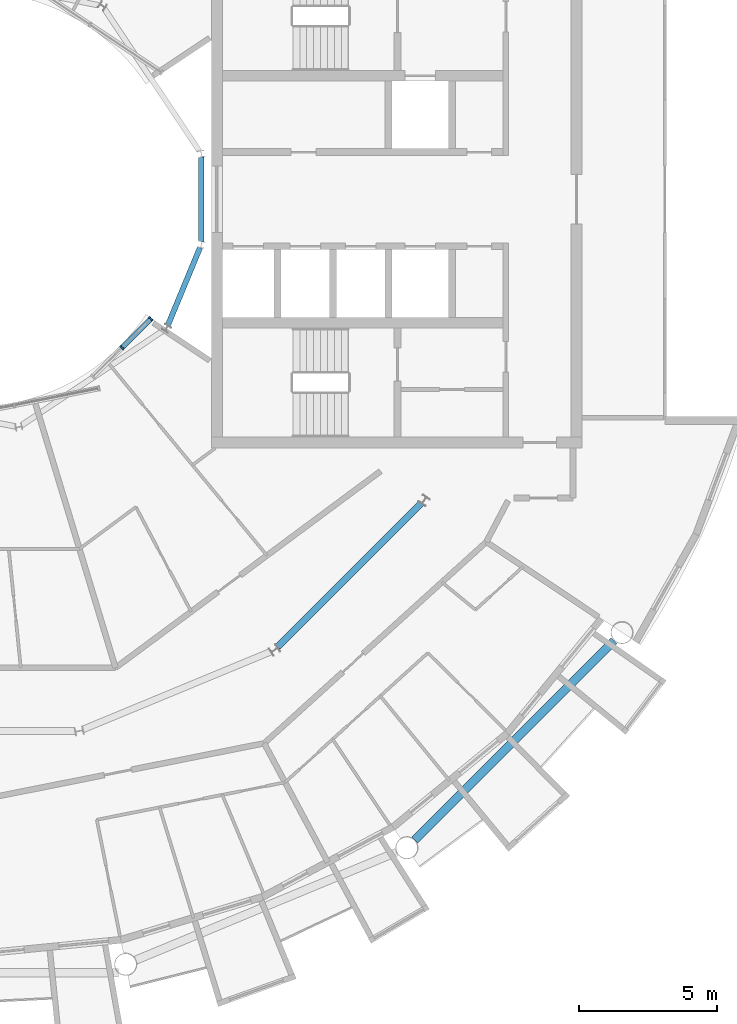
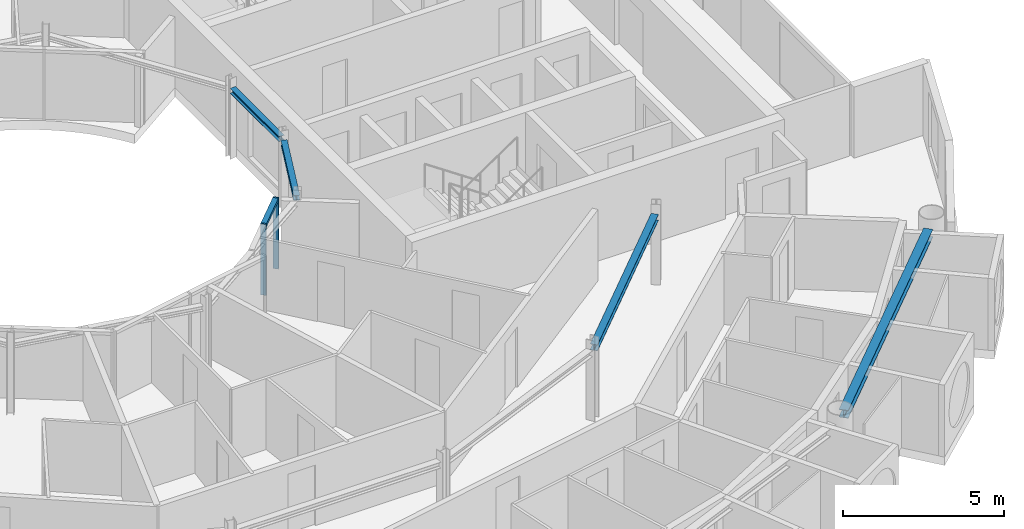
# One storey, part 8 of 28: 4 beams, 3 members, 1 element without a shape of its own.
"""IFC4 building model written with IfcOpenShell, lengths in metres."""

from ifc_helpers import new_model, si_unit, direction, frame, origin, origin_2d, place, context, subcontext, project, spatial, rectangle, i_section, extrude, material, layer, layer_set, material_profile, profile_set, type_object, element, aggregate, save


model = new_model("IFC4")

# Units and contexts
model_context = context("Model", 3, precision=1e-05, world=origin(), true_north=direction((0.0, 1.0)))
body_context = subcontext(model_context, "Body", "Model", "MODEL_VIEW")
ifc_project = project(units=[si_unit("LENGTHUNIT", "METRE"), si_unit("AREAUNIT", "SQUARE_METRE"), si_unit("VOLUMEUNIT", "CUBIC_METRE"), si_unit("PLANEANGLEUNIT", "RADIAN"), si_unit("MASSUNIT", "GRAM", prefix="KILO")], contexts=[model_context])

# Site, building, storey
site_placement = place(None, origin())
site = spatial("IfcSite", under=ifc_project, at=site_placement, CompositionType="ELEMENT")
building_placement = place(site_placement, origin())
building = spatial("IfcBuilding", under=site, at=building_placement, Name="Maasbend Ring Residences", CompositionType="ELEMENT")
storey_placement = place(building_placement, frame((0.0, 0.0, 227.949951171875)))
storey = spatial("IfcBuildingStorey", under=building, at=storey_placement, Name="L65", CompositionType="ELEMENT", Elevation=227.949951171875)

# Curtain wall, members
ifc_material_1 = material(Name="Aluminium and clear glass", Category="aluminium")
ifc_layer = layer(ifc_material_1, 0.179931640625)
ifc_layer_set = layer_set([ifc_layer], Name="CW-W")
curtain_wall_type = type_object("IfcCurtainWallType", Name="CW-W", PredefinedType="NOTDEFINED", material=ifc_layer_set)
curtain_wall_placement = place(storey_placement, origin())
curtain_wall = element("IfcCurtainWall", 1, at=curtain_wall_placement, inside=storey, type_object=curtain_wall_type, Name="Well curtain wall S3", PredefinedType="NOTDEFINED")
ifc_material_2 = material(Name="Aluminium 6063-T6", Category="aluminium")
ifc_material_profile_1 = material_profile(ifc_material_2, rectangle(XDim=0.179931640625, YDim=0.06005859375, at=origin_2d()), Name="AL 180x60")
ifc_profile_set_1 = profile_set([ifc_material_profile_1], Name="Aluminium 6063-T6")
member_type_1 = type_object("IfcMemberType", Name="CWM-W", PredefinedType="MULLION", material=ifc_profile_set_1)
member_1_placement = place(storey_placement, frame((5.366943359375, -5.366943359375, 0.0), z_axis=(0.0, 0.0, 1.0), x_axis=(-0.707106781187, 0.707106781187, 0.0)))
member_1 = element("IfcMember", 2, at=member_1_placement, type_object=member_type_1, Name="Mullion well face", PredefinedType="MULLION", context=body_context, shape_type="SweptSolid", body=[
    extrude(rectangle(XDim=0.179931640625, YDim=0.06005859375, at=origin_2d()), origin(), (0.0, 0.0, 1.0), 2.699951171875),
])
member_2_placement = place(storey_placement, frame((6.413330078125, -4.320556640625, 0.0), z_axis=(0.0, 0.0, 1.0), x_axis=(-0.707106781187, 0.707106781187, 0.0)))
member_2 = element("IfcMember", 3, at=member_2_placement, type_object=member_type_1, Name="Mullion well face", PredefinedType="MULLION", context=body_context, shape_type="SweptSolid", body=[
    extrude(rectangle(XDim=0.179931640625, YDim=0.06005859375, at=origin_2d()), origin(), (0.0, 0.0, 1.0), 2.699951171875),
])
ifc_material_3 = material(Name="Aluminium 6063-T6", Category="aluminium")
ifc_material_profile_2 = material_profile(ifc_material_3, rectangle(XDim=0.179931640625, YDim=0.1201171875, at=origin_2d()), Name="AL 180x120")
ifc_profile_set_2 = profile_set([ifc_material_profile_2], Name="Aluminium 6063-T6")
member_type_2 = type_object("IfcMemberType", Name="CWT-W", PredefinedType="USERDEFINED", material=ifc_profile_set_2)
member_3_placement = place(storey_placement, frame((5.38818359375, -5.345703125, 2.64013671875), z_axis=(0.707106781187, 0.707106781187, 0.0), x_axis=(-0.707106781187, 0.707106781187, 0.0)))
member_3 = element("IfcMember", 4, at=member_3_placement, type_object=member_type_2, Name="Transom well face", ObjectType="TRANSOM", PredefinedType="USERDEFINED", context=body_context, shape_type="SweptSolid", body=[
    extrude(rectangle(XDim=0.179931640625, YDim=0.1201171875, at=origin_2d()), origin(), (0.0, 0.0, 1.0), 1.419677734375),
])
aggregate(curtain_wall, [member_1, member_2, member_3])

# Beams
ifc_material_4 = material(Name="Steel S355J2", Category="steel")
ifc_material_profile_3 = material_profile(ifc_material_4, i_section(OverallWidth=0.239990234375, OverallDepth=0.22998046875, WebThickness=0.007568359375, FlangeThickness=0.011962890625, FilletRadius=0.02099609375, at=origin_2d()), Name="HEA 240")
ifc_profile_set_3 = profile_set([ifc_material_profile_3], Name="Steel S355J2")
beam_type_1 = type_object("IfcBeamType", Name="Corridor ring beam HEA 240", PredefinedType="BEAM", material=ifc_profile_set_3)
beam_1_placement = place(storey_placement, frame((10.997314453125, -16.188720703125, 2.5849609375), z_axis=(0.707106781187, 0.707106781187, 0.0), x_axis=(-0.707106781187, 0.707106781187, 0.0)))
element("IfcBeam", 5, at=beam_1_placement, inside=storey, type_object=beam_type_1, Name="Corridor ring beam", PredefinedType="BEAM", context=body_context, shape_type="SweptSolid", body=[
    extrude(i_section(OverallWidth=0.239990234375, OverallDepth=0.22998046875, WebThickness=0.007568359375, FlangeThickness=0.011962890625, FilletRadius=0.02099609375, at=origin_2d()), origin(), (0.0, 0.0, 1.0), 7.341796875),
])
ifc_material_5 = material(Name="Steel S355J2", Category="steel")
ifc_material_profile_4 = material_profile(ifc_material_5, i_section(OverallWidth=0.300048828125, OverallDepth=0.300048828125, WebThickness=0.010986328125, FlangeThickness=0.01904296875, FilletRadius=0.027099609375, at=origin_2d()), Name="HEB 300")
ifc_profile_set_4 = profile_set([ifc_material_profile_4], Name="Steel S355J2")
beam_type_2 = type_object("IfcBeamType", Name="Spandrel ring beam HEB 300", PredefinedType="SPANDREL", material=ifc_profile_set_4)
beam_2_placement = place(storey_placement, frame((15.95458984375, -23.159912109375, 2.550048828125), z_axis=(0.707106781187, 0.707106781187, 0.0), x_axis=(-0.707106781187, 0.707106781187, 0.0)))
element("IfcBeam", 6, at=beam_2_placement, inside=storey, type_object=beam_type_2, Name="Spandrel ring beam", PredefinedType="SPANDREL", context=body_context, shape_type="SweptSolid", body=[
    extrude(i_section(OverallWidth=0.300048828125, OverallDepth=0.300048828125, WebThickness=0.010986328125, FlangeThickness=0.01904296875, FilletRadius=0.027099609375, at=origin_2d()), origin(), (0.0, 0.0, 1.0), 10.18994140625),
])
ifc_material_6 = material(Name="Steel S355J2", Category="steel")
ifc_material_profile_5 = material_profile(ifc_material_6, i_section(OverallWidth=0.199951171875, OverallDepth=0.18994140625, WebThickness=0.006591796875, FlangeThickness=0.010009765625, FilletRadius=0.01806640625, at=origin_2d()), Name="HEA 200")
ifc_profile_set_5 = profile_set([ifc_material_profile_5], Name="Steel S355J2")
beam_type_3 = type_object("IfcBeamType", Name="Well edge beam HEA 200", PredefinedType="BEAM", material=ifc_profile_set_5)
for number, where, z_axis, x_axis, name in (
    (7, (7.029296875, -4.55859375, 2.60498046875), (0.382609241817, 0.923910259753, 0.0), (-0.923910259753, 0.382609241817, 0.0), "Well edge beam"),
    (8, (8.238525390625, -1.521484375, 2.60498046875), (0.0, 1.0, 0.0), (-1.0, 0.0, 0.0), "Well edge beam"),
):
    element("IfcBeam", number, at=place(storey_placement, frame(where, z_axis=z_axis, x_axis=x_axis)), inside=storey, type_object=beam_type_3, Name=name, PredefinedType="BEAM", context=body_context, shape_type="SweptSolid", body=[
        extrude(i_section(OverallWidth=0.199951171875, OverallDepth=0.18994140625, WebThickness=0.006591796875, FlangeThickness=0.010009765625, FilletRadius=0.01806640625, at=origin_2d()), origin(), (0.0, 0.0, 1.0), 3.04296875),
    ])

save(model, "model.ifc")
